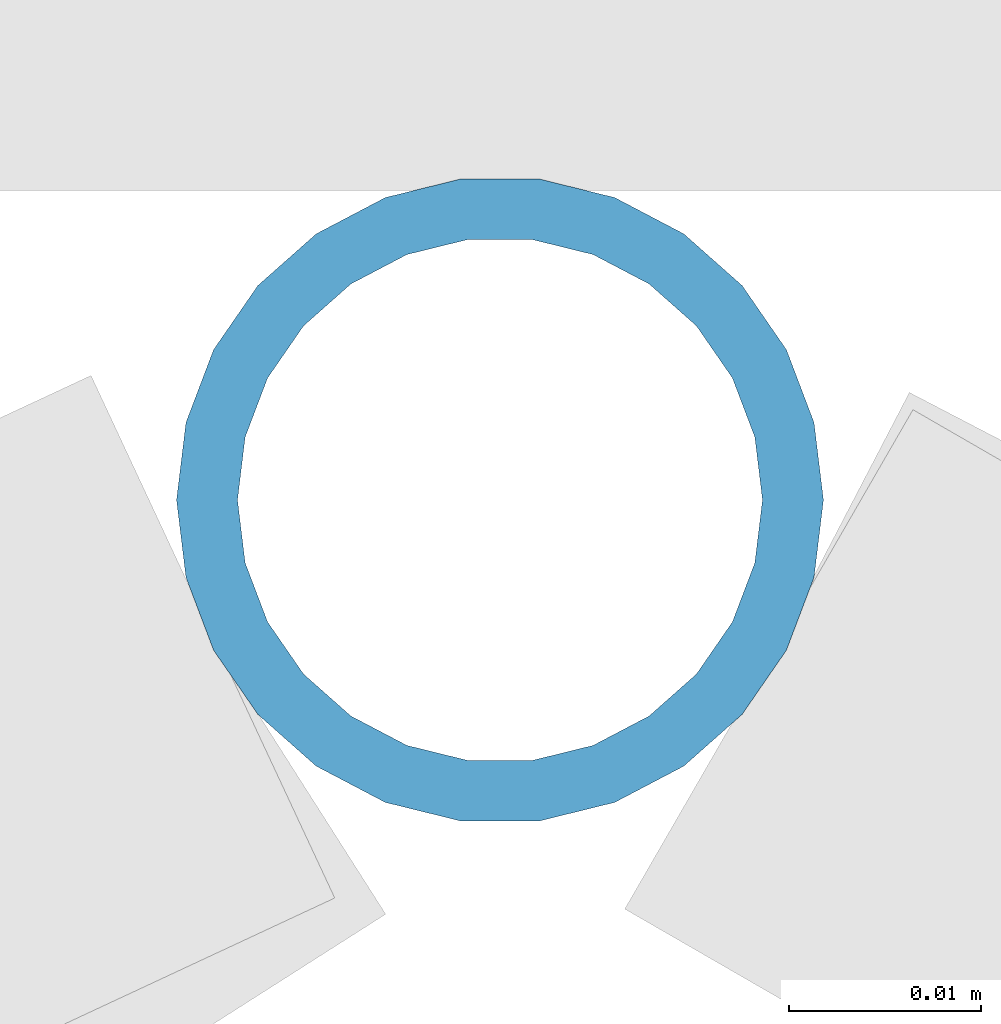
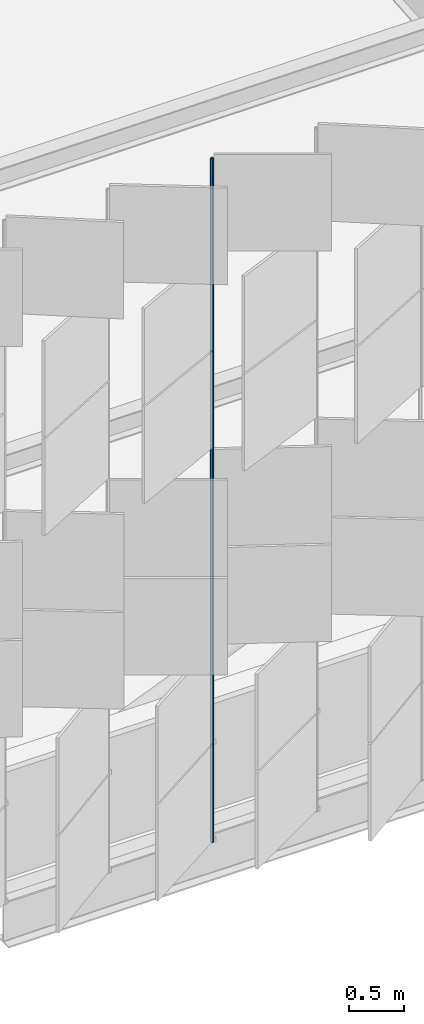
# One storey, part 225 of 483: 1 discrete accessory.
"""IFC4 building model written with IfcOpenShell, lengths in metres."""

from ifc_helpers import new_model, si_unit, direction, frame, origin, origin_2d, place, context, subcontext, project, spatial, hollow_circle, extrude, material, material_profile, profile_set, type_object, element, save


model = new_model("IFC4")

# Units and contexts
model_context = context("Model", 3, precision=1e-05, world=origin(), true_north=direction((0.0, 1.0)))
body_context = subcontext(model_context, "Body", "Model", "MODEL_VIEW")
ifc_project = project(units=[si_unit("LENGTHUNIT", "METRE"), si_unit("AREAUNIT", "SQUARE_METRE"), si_unit("VOLUMEUNIT", "CUBIC_METRE"), si_unit("PLANEANGLEUNIT", "RADIAN"), si_unit("MASSUNIT", "GRAM", prefix="KILO")], contexts=[model_context])

# Site, building, storey
site_placement = place(None, origin())
site = spatial("IfcSite", under=ifc_project, at=site_placement, CompositionType="ELEMENT")
building_placement = place(site_placement, origin())
building = spatial("IfcBuilding", under=site, at=building_placement, Name="Parallax Yard Mobility Hub", CompositionType="ELEMENT")
storey_placement = place(building_placement, frame((0.0, 0.0, 13.199951171875)))
storey = spatial("IfcBuildingStorey", under=building, at=storey_placement, Name="L04", CompositionType="ELEMENT", Elevation=13.199951171875)

# Discrete accessory
ifc_material = material(Name="Steel ASTM A500 Gr C, hot-dip galvanised", Category="steel")
ifc_material_profile = material_profile(ifc_material, hollow_circle(Radius=0.016845703125, WallThickness=0.003173828125, at=origin_2d()), Name="CHS 33.7x3.2")
ifc_profile_set = profile_set([ifc_material_profile], Name="Steel ASTM A500 Gr C, hot-dip galvanised")
discrete_accessory_type = type_object("IfcDiscreteAccessoryType", Name="Hinge post CHS 33.7x3.2", PredefinedType="BRACKET", material=ifc_profile_set)
discrete_accessory_placement = place(storey_placement, frame((159.63720703125, 112.10546875, 0.0), z_axis=(0.0, 0.0, 1.0), x_axis=(1.0, 0.0, 0.0)))
element("IfcDiscreteAccessory", 1, at=discrete_accessory_placement, inside=storey, type_object=discrete_accessory_type, Name="Hinge post bay 16.3 level L04", PredefinedType="BRACKET", context=body_context, shape_type="SweptSolid", body=[
    extrude(hollow_circle(Radius=0.016845703125, WallThickness=0.003173828125, at=origin_2d()), origin(), (0.0, 0.0, 1.0), 7.650146484375),
])

save(model, "model.ifc")
